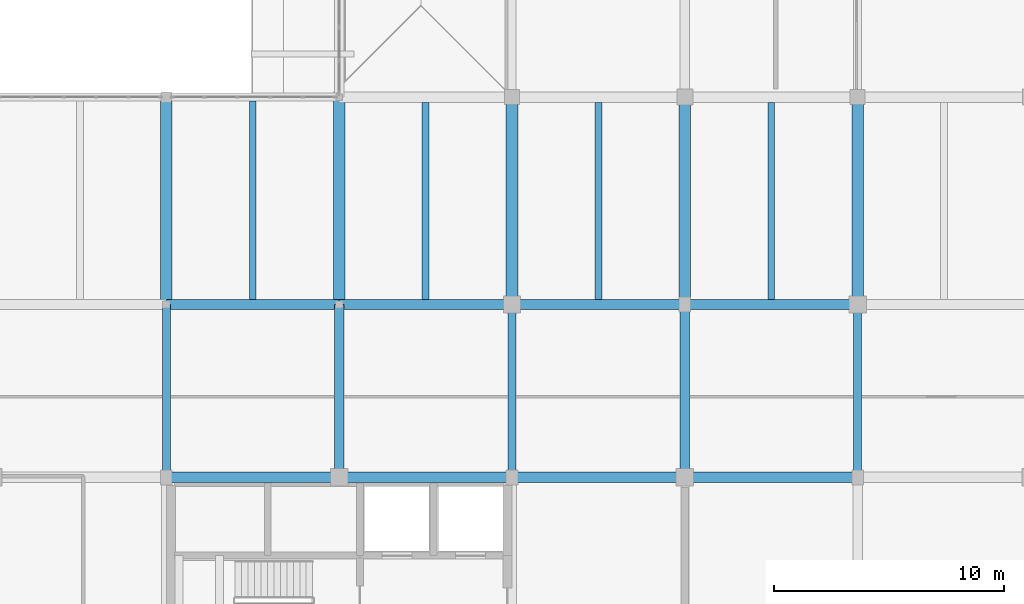
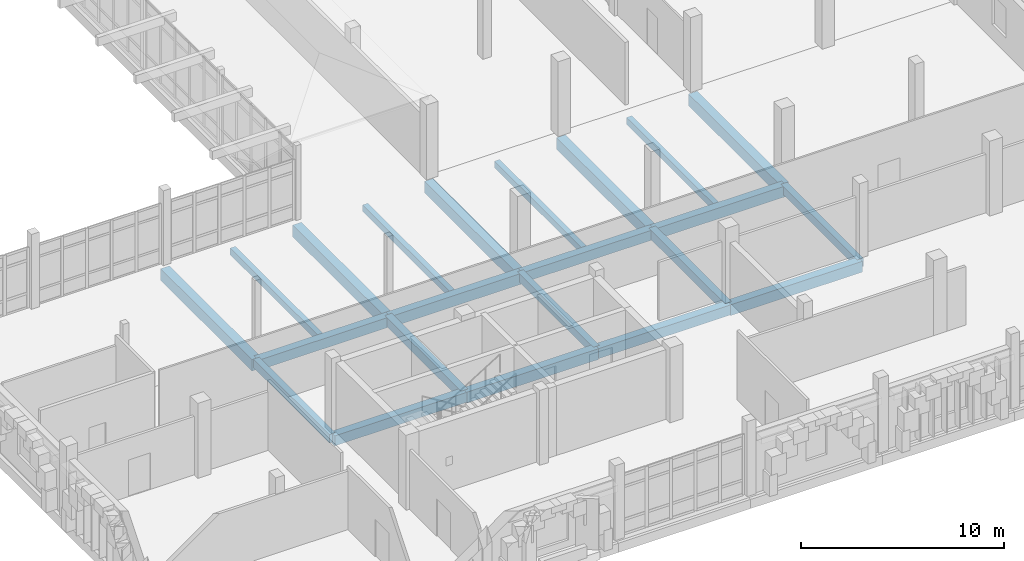
# One storey, part 58 of 128: 22 beams.
"""IFC4 building model written with IfcOpenShell, lengths in metres."""

from ifc_helpers import new_model, si_unit, direction, frame, origin, origin_2d, place, context, subcontext, project, spatial, rectangle, extrude, material, material_profile, profile_set, type_object, element, save


model = new_model("IFC4")

# Units and contexts
model_context = context("Model", 3, precision=1e-05, world=origin(), true_north=direction((0.0, 1.0)))
body_context = subcontext(model_context, "Body", "Model", "MODEL_VIEW")
ifc_project = project(units=[si_unit("LENGTHUNIT", "METRE"), si_unit("AREAUNIT", "SQUARE_METRE"), si_unit("VOLUMEUNIT", "CUBIC_METRE"), si_unit("PLANEANGLEUNIT", "RADIAN"), si_unit("MASSUNIT", "GRAM", prefix="KILO")], contexts=[model_context])

# Site, building, storey
site_placement = place(None, origin())
site = spatial("IfcSite", under=ifc_project, at=site_placement, CompositionType="ELEMENT")
building_placement = place(site_placement, origin())
building = spatial("IfcBuilding", under=site, at=building_placement, Name="Dalvernix Boulevard General Hospital", CompositionType="ELEMENT")
storey_placement = place(building_placement, frame((0.0, 0.0, 4.800048828125)))
storey = spatial("IfcBuildingStorey", under=building, at=storey_placement, Name="L01", CompositionType="ELEMENT", Elevation=4.800048828125)

# Beams
ifc_material = material(Name="Concrete C35/45", Category="concrete")
ifc_material_profile_1 = material_profile(ifc_material, rectangle(XDim=0.5, YDim=0.699951171875, at=origin_2d()), Name="RCB 500x700")
ifc_profile_set_1 = profile_set([ifc_material_profile_1], Name="Concrete C35/45")
beam_type_1 = type_object("IfcBeamType", Name="BM-B-01-I", PredefinedType="BEAM", material=ifc_profile_set_1)
for number, where, z_axis, x_axis, name in (
    (1, (127.5, 22.5, -0.650146484375), (0.0, 1.0, 0.0), (-1.0, 0.0, 0.0), "L01 N-S girder 18:D-E"),
    (2, (135.0, 22.5, -0.650146484375), (0.0, 1.0, 0.0), (-1.0, 0.0, 0.0), "L01 N-S girder 19:D-E"),
    (3, (142.5, 22.5, -0.650146484375), (0.0, 1.0, 0.0), (-1.0, 0.0, 0.0), "L01 N-S girder 20:D-E"),
    (4, (150.0, 22.5, -0.650146484375), (0.0, 1.0, 0.0), (-1.0, 0.0, 0.0), "L01 N-S girder 21:D-E"),
    (5, (157.5, 22.5, -0.650146484375), (0.0, 1.0, 0.0), (-1.0, 0.0, 0.0), "L01 N-S girder 22:D-E"),
):
    element("IfcBeam", number, at=place(storey_placement, frame(where, z_axis=z_axis, x_axis=x_axis)), inside=storey, type_object=beam_type_1, Name=name, PredefinedType="BEAM", context=body_context, shape_type="SweptSolid", body=[
        extrude(rectangle(XDim=0.5, YDim=0.699951171875, at=origin_2d()), origin(), (0.0, 0.0, 1.0), 9.0),
    ])
ifc_material_profile_2 = material_profile(ifc_material, rectangle(XDim=0.449951171875, YDim=0.64990234375, at=origin_2d()), Name="RCB 450x650")
ifc_profile_set_2 = profile_set([ifc_material_profile_2], Name="Concrete C35/45")
beam_type_2 = type_object("IfcBeamType", Name="BM-B-03-I", PredefinedType="BEAM", material=ifc_profile_set_2)
for number, where, z_axis, x_axis, name in (
    (6, (135.0, 15.0, -0.625), (1.0, 0.0, 0.0), (0.0, 1.0, 0.0), "L01 E-W girder C:19-20"),
    (7, (150.0, 15.0, -0.625), (1.0, 0.0, 0.0), (0.0, 1.0, 0.0), "L01 E-W girder C:21-22"),
    (8, (135.0, 22.5, -0.625), (1.0, 0.0, 0.0), (0.0, 1.0, 0.0), "L01 E-W girder D:19-20"),
    (9, (150.0, 22.5, -0.625), (1.0, 0.0, 0.0), (0.0, 1.0, 0.0), "L01 E-W girder D:21-22"),
):
    element("IfcBeam", number, at=place(storey_placement, frame(where, z_axis=z_axis, x_axis=x_axis)), inside=storey, type_object=beam_type_2, Name=name, PredefinedType="BEAM", context=body_context, shape_type="SweptSolid", body=[
        extrude(rectangle(XDim=0.449951171875, YDim=0.64990234375, at=origin_2d()), origin(), (0.0, 0.0, 1.0), 7.5),
    ])
ifc_material_profile_3 = material_profile(ifc_material, rectangle(XDim=0.449951171875, YDim=0.60009765625, at=origin_2d()), Name="RCB 450x600")
ifc_profile_set_3 = profile_set([ifc_material_profile_3], Name="Concrete C35/45")
beam_type_3 = type_object("IfcBeamType", Name="BM-B-04-I", PredefinedType="BEAM", material=ifc_profile_set_3)
for number, where, z_axis, x_axis, name in (
    (10, (127.5, 15.0, -0.60009765625), (1.0, 0.0, 0.0), (0.0, 1.0, 0.0), "L01 E-W girder C:18-19"),
    (11, (142.5, 15.0, -0.60009765625), (1.0, 0.0, 0.0), (0.0, 1.0, 0.0), "L01 E-W girder C:20-21"),
    (12, (127.5, 22.5, -0.60009765625), (1.0, 0.0, 0.0), (0.0, 1.0, 0.0), "L01 E-W girder D:18-19"),
    (13, (142.5, 22.5, -0.60009765625), (1.0, 0.0, 0.0), (0.0, 1.0, 0.0), "L01 E-W girder D:20-21"),
):
    element("IfcBeam", number, at=place(storey_placement, frame(where, z_axis=z_axis, x_axis=x_axis)), inside=storey, type_object=beam_type_3, Name=name, PredefinedType="BEAM", context=body_context, shape_type="SweptSolid", body=[
        extrude(rectangle(XDim=0.449951171875, YDim=0.60009765625, at=origin_2d()), origin(), (0.0, 0.0, 1.0), 7.5),
    ])
ifc_material_profile_4 = material_profile(ifc_material, rectangle(XDim=0.39990234375, YDim=0.550048828125, at=origin_2d()), Name="RCB 400x550")
ifc_profile_set_4 = profile_set([ifc_material_profile_4], Name="Concrete C35/45")
beam_type_4 = type_object("IfcBeamType", Name="BM-B-06-I", PredefinedType="BEAM", material=ifc_profile_set_4)
for number, where, z_axis, x_axis, name in (
    (14, (135.0, 15.0, -0.574951171875), (0.0, 1.0, 0.0), (-1.0, 0.0, 0.0), "L01 N-S girder 19:C-D"),
    (15, (150.0, 15.0, -0.574951171875), (0.0, 1.0, 0.0), (-1.0, 0.0, 0.0), "L01 N-S girder 21:C-D"),
):
    element("IfcBeam", number, at=place(storey_placement, frame(where, z_axis=z_axis, x_axis=x_axis)), inside=storey, type_object=beam_type_4, Name=name, PredefinedType="BEAM", context=body_context, shape_type="SweptSolid", body=[
        extrude(rectangle(XDim=0.39990234375, YDim=0.550048828125, at=origin_2d()), origin(), (0.0, 0.0, 1.0), 7.5),
    ])
ifc_material_profile_5 = material_profile(ifc_material, rectangle(XDim=0.35009765625, YDim=0.5, at=origin_2d()), Name="RCB 350x500")
ifc_profile_set_5 = profile_set([ifc_material_profile_5], Name="Concrete C35/45")
beam_type_5 = type_object("IfcBeamType", Name="BM-B-08-I", PredefinedType="BEAM", material=ifc_profile_set_5)
for number, where, z_axis, x_axis, name in (
    (16, (127.5, 15.0, -0.550048828125), (0.0, 1.0, 0.0), (-1.0, 0.0, 0.0), "L01 N-S girder 18:C-D"),
    (17, (142.5, 15.0, -0.550048828125), (0.0, 1.0, 0.0), (-1.0, 0.0, 0.0), "L01 N-S girder 20:C-D"),
    (18, (157.5, 15.0, -0.550048828125), (0.0, 1.0, 0.0), (-1.0, 0.0, 0.0), "L01 N-S girder 22:C-D"),
):
    element("IfcBeam", number, at=place(storey_placement, frame(where, z_axis=z_axis, x_axis=x_axis)), inside=storey, type_object=beam_type_5, Name=name, PredefinedType="BEAM", context=body_context, shape_type="SweptSolid", body=[
        extrude(rectangle(XDim=0.35009765625, YDim=0.5, at=origin_2d()), origin(), (0.0, 0.0, 1.0), 7.5),
    ])
ifc_material_profile_6 = material_profile(ifc_material, rectangle(XDim=0.300048828125, YDim=0.39990234375, at=origin_2d()), Name="RCB 300x400")
ifc_profile_set_6 = profile_set([ifc_material_profile_6], Name="Concrete C35/45")
beam_type_6 = type_object("IfcBeamType", Name="BM-JB-01", PredefinedType="JOIST", material=ifc_profile_set_6)
beam_placement = place(storey_placement, frame((131.25, 22.72509765625, -0.5), z_axis=(0.0, 1.0, 0.0), x_axis=(-1.0, 0.0, 0.0)))
element("IfcBeam", 19, at=beam_placement, inside=storey, type_object=beam_type_6, Name="L01 secondary floor beam 18-D", PredefinedType="JOIST", context=body_context, shape_type="SweptSolid", body=[
    extrude(rectangle(XDim=0.300048828125, YDim=0.39990234375, at=origin_2d()), origin(), (0.0, 0.0, 1.0), 8.599853515625),
])
for number, where, z_axis, x_axis, name in (
    (20, (138.75, 22.72509765625, -0.5), (0.0, 1.0, 0.0), (-1.0, 0.0, 0.0), "L01 secondary floor beam 19-D"),
    (21, (146.25, 22.72509765625, -0.5), (0.0, 1.0, 0.0), (-1.0, 0.0, 0.0), "L01 secondary floor beam 20-D"),
    (22, (153.75, 22.72509765625, -0.5), (0.0, 1.0, 0.0), (-1.0, 0.0, 0.0), "L01 secondary floor beam 21-D"),
):
    element("IfcBeam", number, at=place(storey_placement, frame(where, z_axis=z_axis, x_axis=x_axis)), inside=storey, type_object=beam_type_6, Name=name, PredefinedType="JOIST", context=body_context, shape_type="SweptSolid", body=[
        extrude(rectangle(XDim=0.300048828125, YDim=0.39990234375, at=origin_2d()), origin(), (0.0, 0.0, 1.0), 8.5498046875),
    ])

save(model, "model.ifc")
